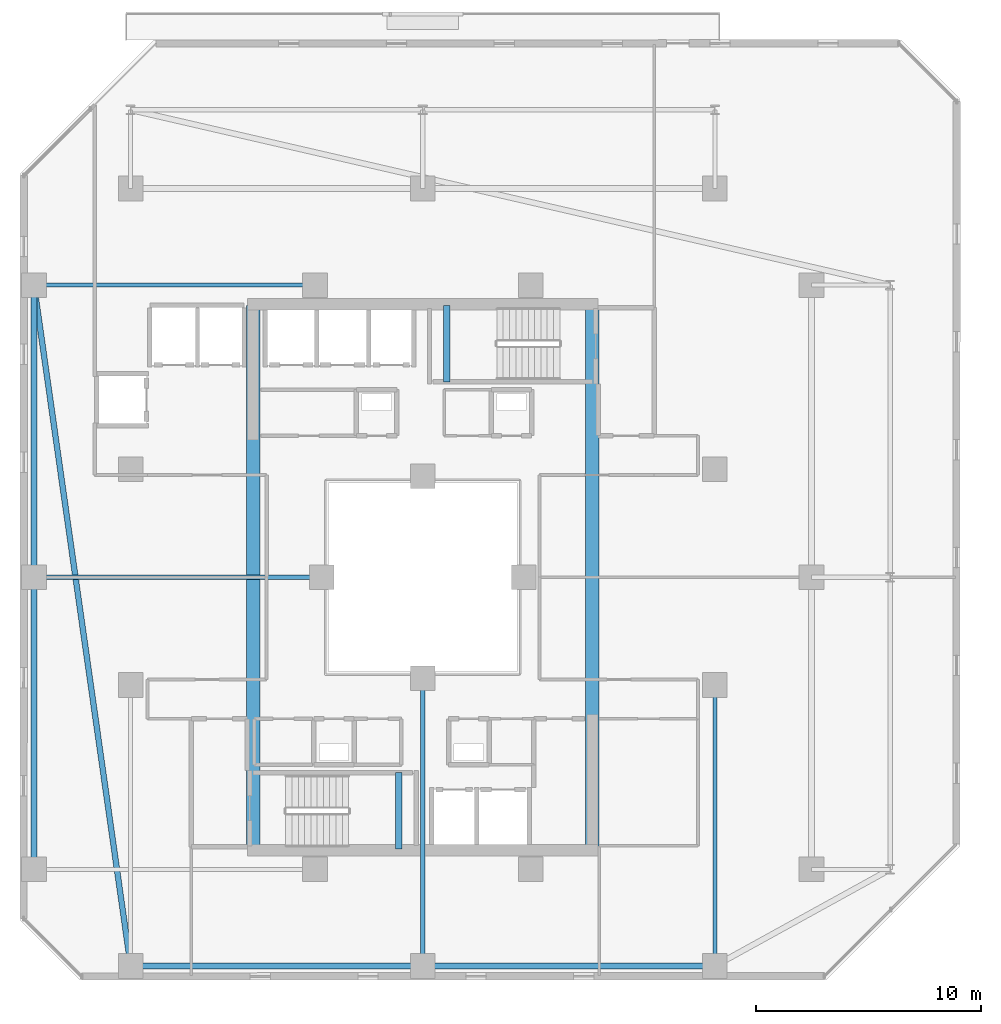
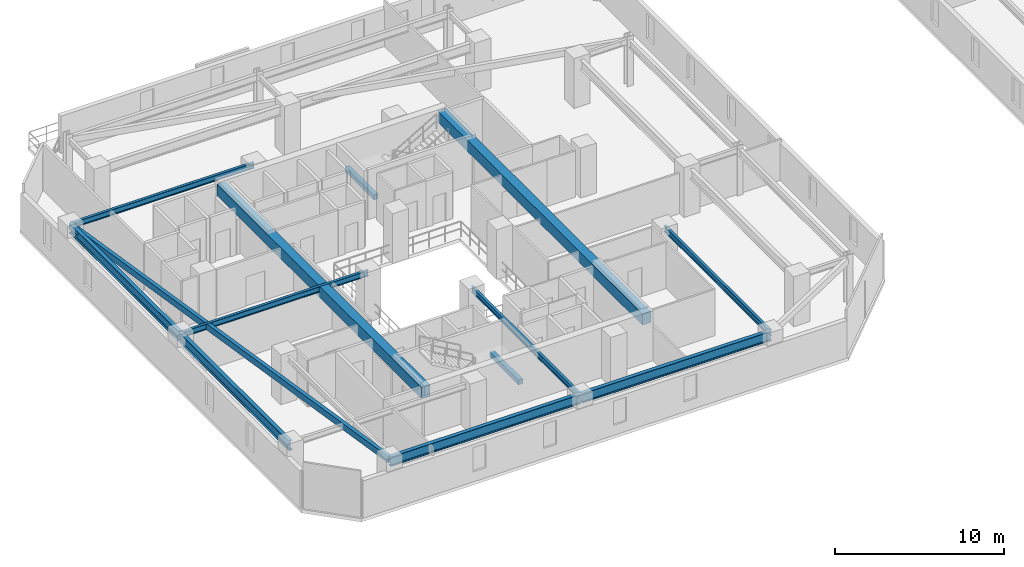
# One storey, part 4 of 32: 13 beams.
"""IFC4 building model written with IfcOpenShell, lengths in metres."""

from ifc_helpers import new_model, si_unit, direction, frame, origin, origin_2d, place, context, subcontext, project, spatial, rectangle, hollow_rectangle, i_section, extrude, material, material_profile, profile_set, type_object, element, save


model = new_model("IFC4")

# Units and contexts
model_context = context("Model", 3, precision=1e-05, world=origin(), true_north=direction((0.0, 1.0)))
body_context = subcontext(model_context, "Body", "Model", "MODEL_VIEW")
ifc_project = project(units=[si_unit("LENGTHUNIT", "METRE"), si_unit("AREAUNIT", "SQUARE_METRE"), si_unit("VOLUMEUNIT", "CUBIC_METRE"), si_unit("PLANEANGLEUNIT", "RADIAN"), si_unit("MASSUNIT", "GRAM", prefix="KILO")], contexts=[model_context])

# Site, building, storey
site_placement = place(None, origin())
site = spatial("IfcSite", under=ifc_project, at=site_placement, CompositionType="ELEMENT")
building_placement = place(site_placement, origin())
building = spatial("IfcBuilding", under=site, at=building_placement, Name="Thornwick Lancets Civic Towers", CompositionType="ELEMENT")
storey_placement = place(building_placement, frame((0.0, 0.0, 178.5)))
storey = spatial("IfcBuildingStorey", under=building, at=storey_placement, Name="L47", CompositionType="ELEMENT", Elevation=178.5)

# Beams
ifc_material_1 = material(Name="Concrete C60/75", Category="concrete")
ifc_material_profile_1 = material_profile(ifc_material_1, rectangle(XDim=0.60009765625, YDim=0.800048828125, at=origin_2d()), Name="RC 600x800")
ifc_profile_set_1 = profile_set([ifc_material_profile_1], Name="Concrete C60/75")
beam_type_1 = type_object("IfcBeamType", Name="BM_COUP_RC800", PredefinedType="BEAM", material=ifc_profile_set_1)
for number, where, z_axis, x_axis, name in (
    (1, (33.050048828125, 14.89990234375, 2.9599609375), (0.0, 1.0, 0.0), (-1.0, 0.0, 0.0), "CB-L47-A1"),
    (2, (17.949951171875, 14.89990234375, 2.9599609375), (0.0, 1.0, 0.0), (-1.0, 0.0, 0.0), "CB-L47-A2"),
):
    element("IfcBeam", number, at=place(storey_placement, frame(where, z_axis=z_axis, x_axis=x_axis)), inside=storey, type_object=beam_type_1, Name=name, PredefinedType="BEAM", context=body_context, shape_type="SweptSolid", body=[
        extrude(rectangle(XDim=0.60009765625, YDim=0.800048828125, at=origin_2d()), origin(), (0.0, 0.0, 1.0), 24.2001953125),
    ])
ifc_material_2 = material(Name="Steel S355JR", Category="steel")
ifc_material_profile_2 = material_profile(ifc_material_2, i_section(OverallWidth=0.255859375, OverallDepth=0.69287109375, WebThickness=0.014404296875, FlangeThickness=0.023681640625, FilletRadius=0.01513671875, at=origin_2d()), Name="UKB 686x254x170")
ifc_profile_set_2 = profile_set([ifc_material_profile_2], Name="Steel S355JR")
beam_type_2 = type_object("IfcBeamType", Name="BM_GIRD_686_170", PredefinedType="BEAM", material=ifc_profile_set_2)
beam_1_placement = place(storey_placement, frame((12.5, 9.699951171875, 3.013671875), z_axis=(1.0, 0.0, 0.0), x_axis=(0.0, 1.0, 0.0)))
element("IfcBeam", 3, at=beam_1_placement, inside=storey, type_object=beam_type_2, Name="BM-SPINE-L47-A-0-1", PredefinedType="BEAM", context=body_context, shape_type="SweptSolid", body=[
    extrude(i_section(OverallWidth=0.255859375, OverallDepth=0.69287109375, WebThickness=0.014404296875, FlangeThickness=0.023681640625, FilletRadius=0.01513671875, at=origin_2d()), origin(), (0.0, 0.0, 1.0), 13.0),
])
beam_2_placement = place(storey_placement, frame((25.580078125, 9.699951171875, 3.013671875), z_axis=(1.0, 0.0, 0.0), x_axis=(0.0, 1.0, 0.0)))
element("IfcBeam", 4, at=beam_2_placement, inside=storey, type_object=beam_type_2, Name="BM-SPINE-L47-A-1-2", PredefinedType="BEAM", context=body_context, shape_type="SweptSolid", body=[
    extrude(i_section(OverallWidth=0.255859375, OverallDepth=0.69287109375, WebThickness=0.014404296875, FlangeThickness=0.023681640625, FilletRadius=0.01513671875, at=origin_2d()), origin(), (0.0, 0.0, 1.0), 12.919921875),
])
beam_3_placement = place(storey_placement, frame((8.199951171875, 14.0, 3.013671875), z_axis=(0.0, 1.0, 0.0), x_axis=(-1.0, 0.0, 0.0)))
element("IfcBeam", 5, at=beam_3_placement, inside=storey, type_object=beam_type_2, Name="BM-SPINE-L47-A-9-10", PredefinedType="BEAM", context=body_context, shape_type="SweptSolid", body=[
    extrude(i_section(OverallWidth=0.255859375, OverallDepth=0.69287109375, WebThickness=0.014404296875, FlangeThickness=0.023681640625, FilletRadius=0.01513671875, at=origin_2d()), origin(), (0.0, 0.0, 1.0), 13.0),
])
beam_4_placement = place(storey_placement, frame((8.199951171875, 27.080078125, 3.013671875), z_axis=(0.0, 1.0, 0.0), x_axis=(-1.0, 0.0, 0.0)))
element("IfcBeam", 6, at=beam_4_placement, inside=storey, type_object=beam_type_2, Name="BM-SPINE-L47-A-10-11", PredefinedType="BEAM", context=body_context, shape_type="SweptSolid", body=[
    extrude(i_section(OverallWidth=0.255859375, OverallDepth=0.69287109375, WebThickness=0.014404296875, FlangeThickness=0.023681640625, FilletRadius=0.01513671875, at=origin_2d()), origin(), (0.0, 0.0, 1.0), 12.919921875),
])
ifc_material_profile_3 = material_profile(ifc_material_2, i_section(OverallWidth=0.179443359375, OverallDepth=0.412841796875, WebThickness=0.009521484375, FlangeThickness=0.01611328125, FilletRadius=0.01025390625, at=origin_2d()), Name="UKB 406x178x74")
ifc_profile_set_3 = profile_set([ifc_material_profile_3], Name="Steel S355JR")
beam_type_3 = type_object("IfcBeamType", Name="BM_JOIST_406_74", PredefinedType="JOIST", material=ifc_profile_set_3)
beam_5_placement = place(storey_placement, frame((25.5, 22.5, 3.153564453125), z_axis=(0.0, -1.0, 0.0), x_axis=(1.0, 0.0, 0.0)))
element("IfcBeam", 7, at=beam_5_placement, inside=storey, type_object=beam_type_3, Name="BM-RADIN-L47-A02", PredefinedType="JOIST", context=body_context, shape_type="SweptSolid", body=[
    extrude(i_section(OverallWidth=0.179443359375, OverallDepth=0.412841796875, WebThickness=0.009521484375, FlangeThickness=0.01611328125, FilletRadius=0.01025390625, at=origin_2d()), origin(), (0.0, 0.0, 1.0), 12.800048828125),
])
beam_6_placement = place(storey_placement, frame((38.5, 22.199951171875, 3.153564453125), z_axis=(0.0, -1.0, 0.0), x_axis=(1.0, 0.0, 0.0)))
element("IfcBeam", 8, at=beam_6_placement, inside=storey, type_object=beam_type_3, Name="BM-RADIN-L47-A03", PredefinedType="JOIST", context=body_context, shape_type="SweptSolid", body=[
    extrude(i_section(OverallWidth=0.179443359375, OverallDepth=0.412841796875, WebThickness=0.009521484375, FlangeThickness=0.01611328125, FilletRadius=0.01025390625, at=origin_2d()), origin(), (0.0, 0.0, 1.0), 12.5),
])
beam_7_placement = place(storey_placement, frame((21.0, 27.0, 3.153564453125), z_axis=(-1.0, 0.0, 0.0), x_axis=(0.0, -1.0, 0.0)))
element("IfcBeam", 9, at=beam_7_placement, inside=storey, type_object=beam_type_3, Name="BM-RADIN-L47-A11", PredefinedType="JOIST", context=body_context, shape_type="SweptSolid", body=[
    extrude(i_section(OverallWidth=0.179443359375, OverallDepth=0.412841796875, WebThickness=0.009521484375, FlangeThickness=0.01611328125, FilletRadius=0.01025390625, at=origin_2d()), origin(), (0.0, 0.0, 1.0), 12.800048828125),
])
beam_8_placement = place(storey_placement, frame((20.699951171875, 40.0, 3.153564453125), z_axis=(-1.0, 0.0, 0.0), x_axis=(0.0, -1.0, 0.0)))
element("IfcBeam", 10, at=beam_8_placement, inside=storey, type_object=beam_type_3, Name="BM-RADIN-L47-A12", PredefinedType="JOIST", context=body_context, shape_type="SweptSolid", body=[
    extrude(i_section(OverallWidth=0.179443359375, OverallDepth=0.412841796875, WebThickness=0.009521484375, FlangeThickness=0.01611328125, FilletRadius=0.01025390625, at=origin_2d()), origin(), (0.0, 0.0, 1.0), 12.5),
])
ifc_material_profile_4 = material_profile(ifc_material_2, hollow_rectangle(XDim=0.25, YDim=0.449951171875, WallThickness=0.01611328125, at=origin_2d()), Name="RHS 450x250x16")
ifc_profile_set_4 = profile_set([ifc_material_profile_4], Name="Steel S355JR")
beam_type_4 = type_object("IfcBeamType", Name="BM_RING_RHS450", PredefinedType="BEAM", material=ifc_profile_set_4)
beam_9_placement = place(storey_placement, frame((8.199951171875, 40.0, 3.135009765625), z_axis=(0.140507712682, -0.990079584012, 0.0), x_axis=(0.990079584012, 0.140507712682, 0.0)))
element("IfcBeam", 11, at=beam_9_placement, inside=storey, type_object=beam_type_4, Name="BM-CHAMF-L47-A-C3", PredefinedType="BEAM", context=body_context, shape_type="SweptSolid", body=[
    extrude(hollow_rectangle(XDim=0.25, YDim=0.449951171875, WallThickness=0.01611328125, at=origin_2d()), origin(), (0.0, 0.0, 1.0), 30.603759765625),
])
ifc_material_3 = material(Name="Concrete C40/50", Category="concrete")
ifc_material_profile_5 = material_profile(ifc_material_3, rectangle(XDim=0.300048828125, YDim=0.35009765625, at=origin_2d()), Name="RC 300x350")
ifc_profile_set_5 = profile_set([ifc_material_profile_5], Name="Concrete C40/50")
beam_type_5 = type_object("IfcBeamType", Name="BM_STAIR_LDG", PredefinedType="BEAM", material=ifc_profile_set_5)
for number, where, z_axis, x_axis, name in (
    (12, (24.43505859375, 14.89990234375, 1.3779296875), (0.0, 1.0, 0.0), (-1.0, 0.0, 0.0), "L47 ST-A1 Landing Support Beam 1"),
    (13, (26.56494140625, 39.10009765625, 1.3779296875), (0.0, -1.0, 0.0), (1.0, 0.0, 0.0), "L47 ST-A2 Landing Support Beam 1"),
):
    element("IfcBeam", number, at=place(storey_placement, frame(where, z_axis=z_axis, x_axis=x_axis)), inside=storey, type_object=beam_type_5, Name=name, PredefinedType="BEAM", context=body_context, shape_type="SweptSolid", body=[
        extrude(rectangle(XDim=0.300048828125, YDim=0.35009765625, at=origin_2d()), origin(), (0.0, 0.0, 1.0), 3.400146484375),
    ])

save(model, "model.ifc")
